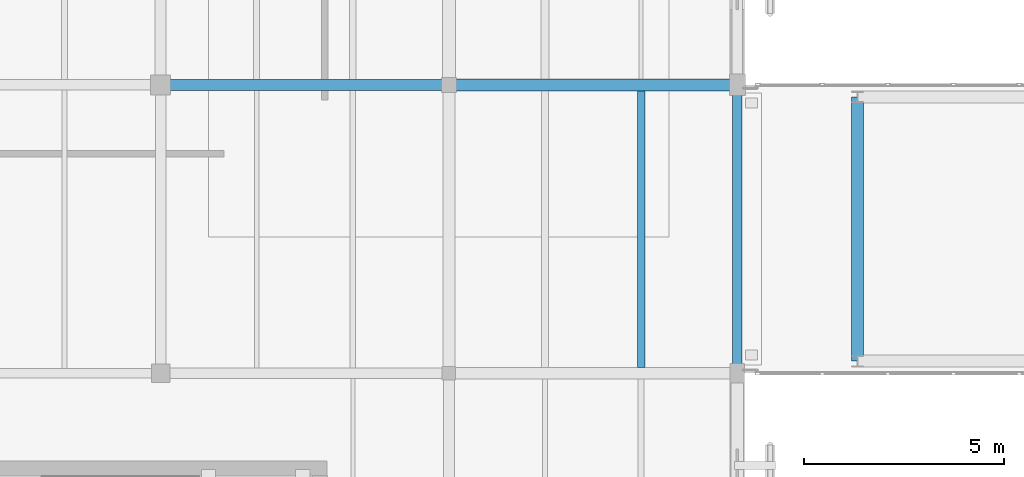
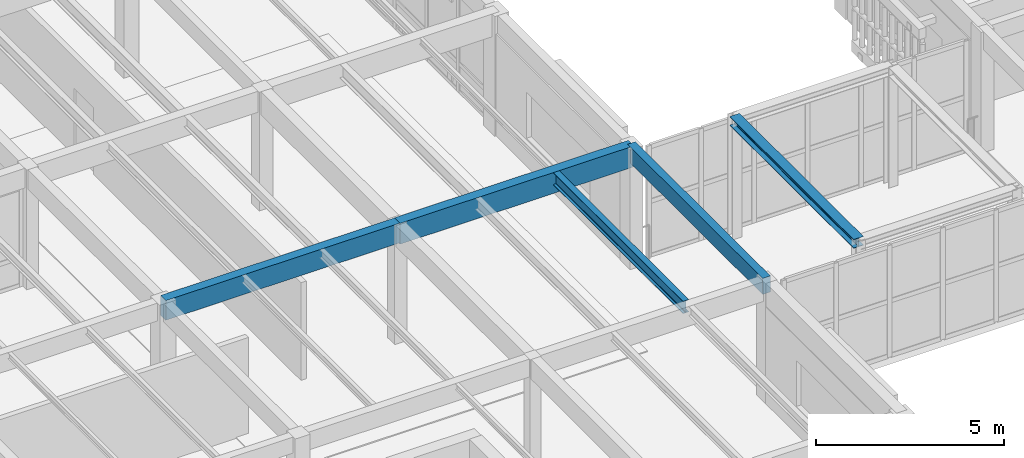
# One storey, part 21 of 217: 5 beams.
"""IFC4 building model written with IfcOpenShell, lengths in metres."""

from ifc_helpers import new_model, si_unit, direction, frame, origin, origin_2d, place, context, subcontext, project, spatial, rectangle, i_section, extrude, material, material_profile, profile_set, type_object, element, save


model = new_model("IFC4")

# Units and contexts
model_context = context("Model", 3, precision=1e-05, world=origin(), true_north=direction((0.0, 1.0)))
body_context = subcontext(model_context, "Body", "Model", "MODEL_VIEW")
ifc_project = project(units=[si_unit("LENGTHUNIT", "METRE"), si_unit("AREAUNIT", "SQUARE_METRE"), si_unit("VOLUMEUNIT", "CUBIC_METRE"), si_unit("PLANEANGLEUNIT", "RADIAN"), si_unit("MASSUNIT", "GRAM", prefix="KILO")], contexts=[model_context])

# Site, building, storey
site_placement = place(None, origin())
site = spatial("IfcSite", under=ifc_project, at=site_placement, CompositionType="ELEMENT")
building_placement = place(site_placement, origin())
building = spatial("IfcBuilding", under=site, at=building_placement, Name="Mazaris Harbour Polytechnic", CompositionType="ELEMENT")
storey_placement = place(building_placement, frame((0.0, 0.0, 9.60009765625)))
storey = spatial("IfcBuildingStorey", under=building, at=storey_placement, Name="L02", CompositionType="ELEMENT", Elevation=9.60009765625)

# Beams
ifc_material_1 = material(Name="Glulam GL32h", Category="wood")
ifc_material_profile_1 = material_profile(ifc_material_1, rectangle(XDim=0.239990234375, YDim=0.52001953125, at=origin_2d()), Name="RECT240x520")
ifc_profile_set_1 = profile_set([ifc_material_profile_1], Name="Glulam GL32h")
beam_type_1 = type_object("IfcBeamType", Name="Glulam Girder 240x520 Exterior", PredefinedType="BEAM", material=ifc_profile_set_1)
beam_1_placement = place(storey_placement, frame((43.199951171875, 21.60009765625, 3.6298828125), z_axis=(0.0, 1.0, 0.0), x_axis=(-1.0, 0.0, 0.0)))
element("IfcBeam", 1, at=beam_1_placement, inside=storey, type_object=beam_type_1, Name="V4 L02 Tie Girder 2035", PredefinedType="BEAM", context=body_context, shape_type="SweptSolid", body=[
    extrude(rectangle(XDim=0.239990234375, YDim=0.52001953125, at=origin_2d()), origin(), (0.0, 0.0, 1.0), 7.199951171875),
])
ifc_material_2 = material(Name="Glulam GL32h", Category="wood")
ifc_material_profile_2 = material_profile(ifc_material_2, rectangle(XDim=0.280029296875, YDim=0.639892578125, at=origin_2d()), Name="RECT280x640")
ifc_profile_set_2 = profile_set([ifc_material_profile_2], Name="Glulam GL32h")
beam_type_2 = type_object("IfcBeamType", Name="Glulam Girder 280x640", PredefinedType="BEAM", material=ifc_profile_set_2)
beam_2_placement = place(storey_placement, frame((28.800048828125, 28.800048828125, 3.56982421875), z_axis=(1.0, 0.0, 0.0), x_axis=(0.0, 1.0, 0.0)))
element("IfcBeam", 2, at=beam_2_placement, inside=storey, type_object=beam_type_2, Name="V4 L02 Girder 1917", PredefinedType="BEAM", context=body_context, shape_type="SweptSolid", body=[
    extrude(rectangle(XDim=0.280029296875, YDim=0.639892578125, at=origin_2d()), origin(), (0.0, 0.0, 1.0), 7.199951171875),
])
ifc_material_3 = material(Name="Glulam GL32h", Category="wood")
ifc_material_profile_3 = material_profile(ifc_material_3, rectangle(XDim=0.300048828125, YDim=0.679931640625, at=origin_2d()), Name="RECT300x680")
ifc_profile_set_3 = profile_set([ifc_material_profile_3], Name="Glulam GL32h")
beam_type_3 = type_object("IfcBeamType", Name="Glulam Girder 300x680", PredefinedType="BEAM", material=ifc_profile_set_3)
beam_3_placement = place(storey_placement, frame((36.0, 28.800048828125, 3.5498046875), z_axis=(1.0, 0.0, 0.0), x_axis=(0.0, 1.0, 0.0)))
element("IfcBeam", 3, at=beam_3_placement, inside=storey, type_object=beam_type_3, Name="V4 L02 Girder 1918", PredefinedType="BEAM", context=body_context, shape_type="SweptSolid", body=[
    extrude(rectangle(XDim=0.300048828125, YDim=0.679931640625, at=origin_2d()), origin(), (0.0, 0.0, 1.0), 7.199951171875),
])
ifc_material_4 = material(Name="Steel S355", Category="steel")
ifc_material_profile_4 = material_profile(ifc_material_4, i_section(OverallWidth=0.300048828125, OverallDepth=0.2900390625, WebThickness=0.008544921875, FlangeThickness=0.013916015625, FilletRadius=0.027099609375, at=origin_2d()), Name="HEA 300")
ifc_profile_set_4 = profile_set([ifc_material_profile_4], Name="Steel S355")
beam_type_4 = type_object("IfcBeamType", Name="Steel Beam HEA300 Exterior", PredefinedType="SPANDREL", material=ifc_profile_set_4)
beam_4_placement = place(storey_placement, frame((46.199951171875, 21.89990234375, 3.789794921875), z_axis=(0.0, 1.0, 0.0), x_axis=(-1.0, 0.0, 0.0)))
element("IfcBeam", 4, at=beam_4_placement, inside=storey, type_object=beam_type_4, Name="PB-W1 L02 Bridge Beam 3412", PredefinedType="SPANDREL", context=body_context, shape_type="SweptSolid", body=[
    extrude(i_section(OverallWidth=0.300048828125, OverallDepth=0.2900390625, WebThickness=0.008544921875, FlangeThickness=0.013916015625, FilletRadius=0.027099609375, at=origin_2d()), origin(), (0.0, 0.0, 1.0), 6.60009765625),
])
ifc_material_5 = material(Name="Steel S355", Category="steel")
ifc_material_profile_5 = material_profile(ifc_material_5, i_section(OverallWidth=0.179931640625, OverallDepth=0.39990234375, WebThickness=0.008544921875, FlangeThickness=0.013427734375, FilletRadius=0.02099609375, at=origin_2d()), Name="IPE 400")
ifc_profile_set_5 = profile_set([ifc_material_profile_5], Name="Steel S355")
beam_type_5 = type_object("IfcBeamType", Name="Steel Joist IPE400", PredefinedType="JOIST", material=ifc_profile_set_5)
beam_5_placement = place(storey_placement, frame((40.800048828125, 21.739990234375, 3.68994140625), z_axis=(0.0, 1.0, 0.0), x_axis=(-1.0, 0.0, 0.0)))
element("IfcBeam", 5, at=beam_5_placement, inside=storey, type_object=beam_type_5, Name="V4 L02 Floor Joist 2147", PredefinedType="JOIST", context=body_context, shape_type="SweptSolid", body=[
    extrude(i_section(OverallWidth=0.179931640625, OverallDepth=0.39990234375, WebThickness=0.008544921875, FlangeThickness=0.013427734375, FilletRadius=0.02099609375, at=origin_2d()), origin(), (0.0, 0.0, 1.0), 6.909912109375),
])

save(model, "model.ifc")
